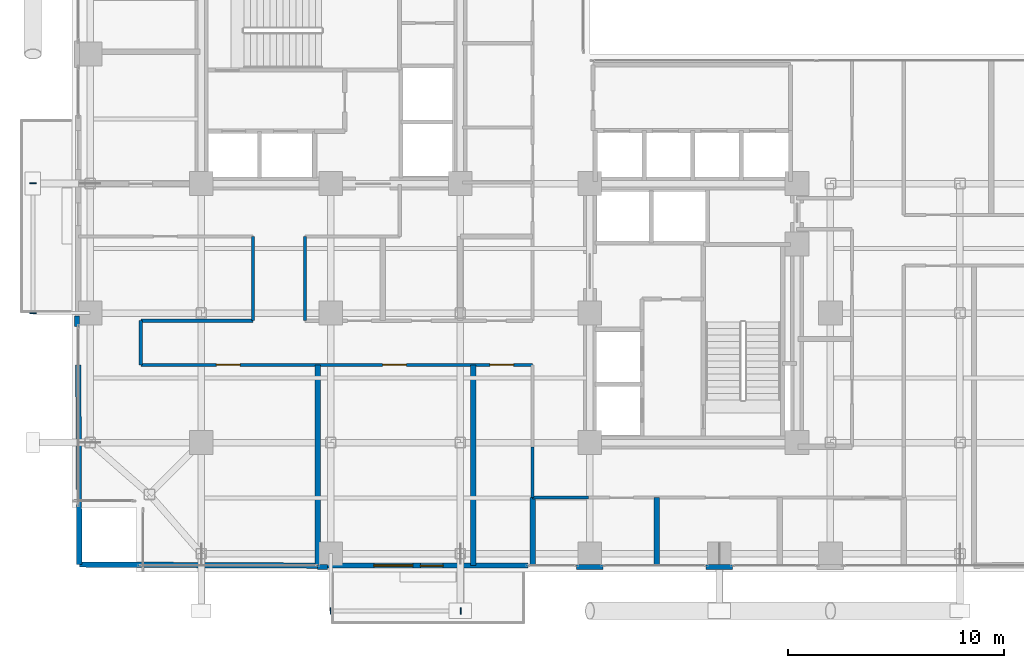
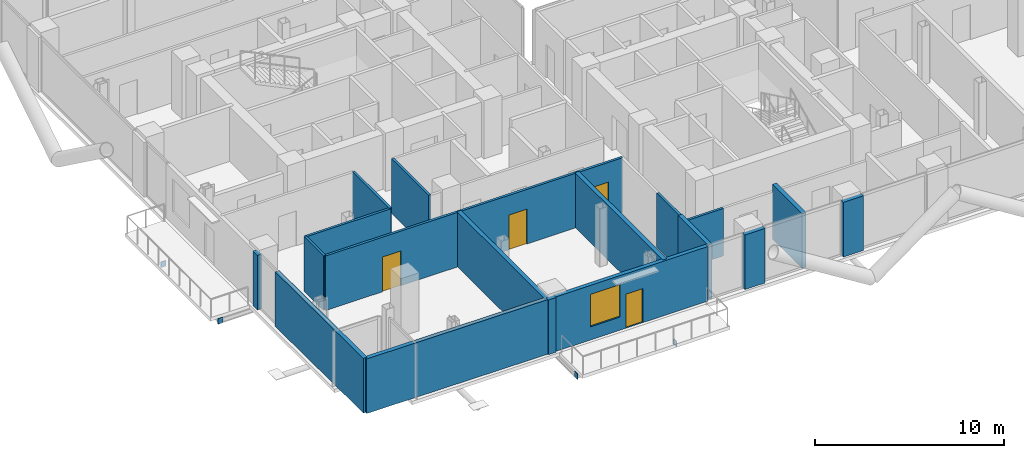
# One storey, part 18 of 24: 18 walls, 4 doors, 4 plates, 1 window, 5 openings.
"""IFC4 building model written with IfcOpenShell, lengths in metres."""

from ifc_helpers import new_model, si_unit, direction, frame, frame_2d, origin, origin_2d, place, context, subcontext, project, spatial, rectangle, extrude, material, layer, layer_set, type_object, element, fill, save


model = new_model("IFC4")

# Units and contexts
model_context = context("Model", 3, precision=1e-05, world=origin(), true_north=direction((0.0, 1.0)))
body_context = subcontext(model_context, "Body", "Model", "MODEL_VIEW")
ifc_project = project(units=[si_unit("LENGTHUNIT", "METRE"), si_unit("AREAUNIT", "SQUARE_METRE"), si_unit("VOLUMEUNIT", "CUBIC_METRE"), si_unit("PLANEANGLEUNIT", "RADIAN"), si_unit("MASSUNIT", "GRAM", prefix="KILO"), si_unit("THERMODYNAMICTEMPERATUREUNIT", "KELVIN"), si_unit("POWERUNIT", "WATT")], contexts=[model_context])

# Site, building, storey
site_placement = place(None, origin())
site = spatial("IfcSite", under=ifc_project, at=site_placement, CompositionType="ELEMENT")
building_placement = place(site_placement, origin())
building = spatial("IfcBuilding", under=site, at=building_placement, Name="Svarakhadi Broadcast Tower", CompositionType="ELEMENT")
storey_placement = place(building_placement, frame((0.0, 0.0, 126.89990234375)))
storey = spatial("IfcBuildingStorey", under=building, at=storey_placement, Name="L30", CompositionType="ELEMENT", Elevation=126.89990234375)

# Plates
ifc_material_1 = material(Name="Steel S460ML (IS 2062 E450BR)", Category="steel")
ifc_layer_1 = layer(ifc_material_1, 0.028076171875)
ifc_layer_set_1 = layer_set([ifc_layer_1], Name="Steel S460ML (IS 2062 E450BR)")
plate_type = type_object("IfcPlateType", Name="Cap_Plate_CP02", PredefinedType="USERDEFINED", material=ifc_layer_set_1)
for number, where, z_axis, x_axis, name in (
    (1, (11.985107421875, -1.800048828125, -0.55517578125), (0.0, 0.0, 1.0), (1.0, 0.0, 0.0), "L30 Balcony Spandrel End Cap Plate 1F-A"),
    (2, (18.014892578125, -1.800048828125, -0.55517578125), (0.0, 0.0, 1.0), (1.0, 0.0, 0.0), "L30 Balcony Spandrel End Cap Plate 1F-B"),
):
    element("IfcPlate", number, at=place(storey_placement, frame(where, z_axis=z_axis, x_axis=x_axis)), inside=storey, type_object=plate_type, Name=name, ObjectType="FLANGE_PLATE", PredefinedType="USERDEFINED", context=body_context, shape_type="SweptSolid", body=[
        extrude(rectangle(XDim=0.0400390625, YDim=0.300048828125, at=origin_2d()), origin(), (0.0, 0.0, 1.0), 0.360107421875),
    ])
for number, where, z_axis, x_axis, name in (
    (3, (-1.800048828125, 11.985107421875, -0.55517578125), (0.0, 0.0, 1.0), (1.0, 0.0, 0.0), "L30 Balcony Spandrel End Cap Plate 2F-A"),
    (4, (-1.800048828125, 18.014892578125, -0.55517578125), (0.0, 0.0, 1.0), (1.0, 0.0, 0.0), "L30 Balcony Spandrel End Cap Plate 2F-B"),
):
    element("IfcPlate", number, at=place(storey_placement, frame(where, z_axis=z_axis, x_axis=x_axis)), inside=storey, type_object=plate_type, Name=name, ObjectType="FLANGE_PLATE", PredefinedType="USERDEFINED", context=body_context, shape_type="SweptSolid", body=[
        extrude(rectangle(XDim=0.300048828125, YDim=0.0400390625, at=origin_2d()), origin(), (0.0, 0.0, 1.0), 0.360107421875),
    ])

# Walls
ifc_material_2 = material(Name="Double-Stud Acoustic Studio Partition STC-62", Category="gypsum")
ifc_layer_2 = layer(ifc_material_2, 0.25)
ifc_layer_set_2 = layer_set([ifc_layer_2], Name="Double-Stud Acoustic Studio Partition STC-62")
wall_type_1 = type_object("IfcWallType", Name="Wall_Acoust_250", PredefinedType="PARTITIONING", material=ifc_layer_set_2)
for number, where, z_axis, x_axis, name in (
    (5, (21.35009765625, 0.300048828125, 0.0), (0.0, 0.0, 1.0), (0.0, 1.0, 0.0), "L30 Harbour Front Production Office Wall"),
    (6, (27.10009765625, 0.300048828125, 0.0), (0.0, 0.0, 1.0), (0.0, 1.0, 0.0), "L30 Harbour Front Production Office Wall"),
):
    element("IfcWall", number, at=place(storey_placement, frame(where, z_axis=z_axis, x_axis=x_axis)), inside=storey, type_object=wall_type_1, Name=name, PredefinedType="PARTITIONING", context=body_context, shape_type="SweptSolid", body=[
        extrude(rectangle(XDim=3.14990234375, YDim=0.25, at=frame_2d((1.574951171875, 0.0))), origin(), (0.0, 0.0, 1.0), 3.525146484375),
    ])
wall_1_placement = place(storey_placement, frame((0.35009765625, 0.35009765625, 0.0), z_axis=(0.0, 0.0, 1.0), x_axis=(0.999989714785, -0.004535451924, 0.0)))
element("IfcWall", 7, at=wall_1_placement, inside=storey, type_object=wall_type_1, Name="L30 Dolby Cinema Screening Theatre Wall", PredefinedType="PARTITIONING", context=body_context, shape_type="SweptSolid", body=[
    extrude(rectangle(XDim=11.034912109375, YDim=0.25, at=frame_2d((5.517578125, 0.0))), origin(), (0.0, 0.0, 1.0), 3.525146484375),
])
wall_2_placement = place(storey_placement, frame((0.35009765625, 0.35009765625, 0.0), z_axis=(0.0, 0.0, 1.0), x_axis=(-0.005410604923, 0.99998536257, 0.0)))
element("IfcWall", 8, at=wall_2_placement, inside=storey, type_object=wall_type_1, Name="L30 Dolby Cinema Screening Theatre Wall", PredefinedType="PARTITIONING", context=body_context, shape_type="SweptSolid", body=[
    extrude(rectangle(XDim=9.250244140625, YDim=0.25, at=frame_2d((4.625, 0.0))), origin(), (0.0, 0.0, 1.0), 3.525146484375),
])
for number, where, z_axis, x_axis, name in (
    (9, (11.39990234375, 0.300048828125, 0.0), (0.0, 0.0, 1.0), (0.0, 1.0, 0.0), "L30 Dolby Cinema Screening Theatre Wall"),
    (10, (18.60009765625, 0.300048828125, 0.0), (0.0, 0.0, 1.0), (0.0, 1.0, 0.0), "L30 Post-Production Coordination Office Wall"),
):
    element("IfcWall", number, at=place(storey_placement, frame(where, z_axis=z_axis, x_axis=x_axis)), inside=storey, type_object=wall_type_1, Name=name, PredefinedType="PARTITIONING", context=body_context, shape_type="SweptSolid", body=[
        extrude(rectangle(XDim=9.300048828125, YDim=0.25, at=frame_2d((4.64990234375, 0.0))), origin(), (0.0, 0.0, 1.0), 3.525146484375),
    ])

# Wall, openings, door, window
ifc_material_3 = material(Name="Concrete C40/50 (IS 456 M50)", Category="concrete")
ifc_layer_3 = layer(ifc_material_3, 0.239990234375)
ifc_layer_set_3 = layer_set([ifc_layer_3], Name="Concrete C40/50 (IS 456 M50)")
wall_type_2 = type_object("IfcWallType", Name="Wall_Ext_240", PredefinedType="SOLIDWALL", material=ifc_layer_set_3)
wall_3_placement = place(storey_placement, frame((21.14501953125, 0.300048828125, 0.0), z_axis=(0.0, 0.0, 1.0), x_axis=(-1.0, 0.0, 0.0)))
wall_3 = element("IfcWall", 11, at=wall_3_placement, inside=storey, type_object=wall_type_2, Name="L30 South Tree Balcony Spandrel Wall", PredefinedType="SOLIDWALL", context=body_context, shape_type="SweptSolid", body=[
    extrude(rectangle(XDim=9.2900390625, YDim=0.239990234375, at=frame_2d((4.64501953125, 0.0))), origin(), (0.0, 0.0, 1.0), 3.525146484375),
])
opening_1_placement = place(wall_3_placement, frame((3.945068359375, 0.0, 0.0)))
opening_1 = element("IfcOpeningElement", 12, at=opening_1_placement, cuts=wall_3, Name="Opening ED-06", PredefinedType="OPENING", context=body_context, shape_type="SweptSolid", body=[
    extrude(rectangle(XDim=1.050048828125, YDim=2.199951171875, at=frame_2d((0.52490234375, 1.10009765625))), frame((0.0, 0.1298828125, 0.0), z_axis=(0.0, -1.0, 0.0), x_axis=(1.0, 0.0, 0.0)), (0.0, 0.0, 1.0), 0.260009765625),
])
opening_2_placement = place(wall_3_placement, frame((5.344970703125, 0.0, 0.85009765625)))
opening_2 = element("IfcOpeningElement", 13, at=opening_2_placement, cuts=wall_3, Name="Opening WN-02", PredefinedType="OPENING", context=body_context, shape_type="SweptSolid", body=[
    extrude(rectangle(XDim=1.800048828125, YDim=2.10009765625, at=frame_2d((0.89990234375, 1.050048828125))), frame((0.0, 0.1298828125, 0.0), z_axis=(0.0, -1.0, 0.0), x_axis=(1.0, 0.0, 0.0)), (0.0, 0.0, 1.0), 0.260009765625),
])
ifc_material_4 = material(Name="Anodised Bronze Aluminium AA 6063-T6", Category="aluminium")
door_type_1 = type_object("IfcDoorType", Name="Door_Ext_ED06", OperationType="SINGLE_SWING_RIGHT", PredefinedType="DOOR", material=ifc_material_4)
door_1_placement = place(opening_1_placement, origin())
door_1 = element("IfcDoor", 14, at=door_1_placement, inside=storey, type_object=door_type_1, Name="L30 South Tree Balcony Door", OperationType="SINGLE_SWING_RIGHT", OverallHeight=2.199951171875, OverallWidth=1.050048828125, PredefinedType="DOOR", context=body_context, shape_type="SweptSolid", body=[
    extrude(rectangle(XDim=1.050048828125, YDim=2.199951171875, at=frame_2d((0.52490234375, 1.10009765625))), frame((0.0, 0.02490234375, 0.0), z_axis=(0.0, -1.0, 0.0), x_axis=(1.0, 0.0, 0.0)), (0.0, 0.0, 1.0), 0.050048828125),
])
fill(opening_1, door_1)
ifc_material_5 = material(Name="Double Low-E Laminated Acoustic Glass IGU 36 mm", Category="glass")
window_type = type_object("IfcWindowType", Name="Win_Fixed_WN02", PartitioningType="SINGLE_PANEL", PredefinedType="WINDOW", material=ifc_material_5)
window_placement = place(opening_2_placement, origin())
window = element("IfcWindow", 15, at=window_placement, inside=storey, type_object=window_type, Name="L30 South Tree Balcony Window", OverallHeight=2.10009765625, OverallWidth=1.800048828125, PartitioningType="SINGLE_PANEL", PredefinedType="WINDOW", context=body_context, shape_type="SweptSolid", body=[
    extrude(rectangle(XDim=1.800048828125, YDim=2.10009765625, at=frame_2d((0.89990234375, 1.050048828125))), frame((0.0, 0.030029296875, 0.0), z_axis=(0.0, -1.0, 0.0), x_axis=(1.0, 0.0, 0.0)), (0.0, 0.0, 1.0), 0.06005859375),
])
fill(opening_2, window)

# Walls
wall_4_placement = place(storey_placement, frame((0.239990234375, 11.385009765625, 0.0), z_axis=(0.0, 0.0, 1.0), x_axis=(0.0, 1.0, 0.0)))
element("IfcWall", 16, at=wall_4_placement, inside=storey, type_object=wall_type_2, Name="L30 Perimeter Bronze Spandrel Closure Wall 01", PredefinedType="SOLIDWALL", context=body_context, shape_type="SweptSolid", body=[
    extrude(rectangle(XDim=0.469970703125, YDim=0.239990234375, at=frame_2d((0.23486328125, 0.0))), origin(), (0.0, 0.0, 1.0), 3.525146484375),
])
for number, where, z_axis, x_axis, name in (
    (17, (30.614990234375, 0.239990234375, 0.0), (0.0, 0.0, 1.0), (-1.0, 0.0, 0.0), "L30 Perimeter Bronze Spandrel Closure Wall 08"),
    (18, (24.614990234375, 0.239990234375, 0.0), (0.0, 0.0, 1.0), (-1.0, 0.0, 0.0), "L30 Perimeter Bronze Spandrel Closure Wall 09"),
):
    element("IfcWall", number, at=place(storey_placement, frame(where, z_axis=z_axis, x_axis=x_axis)), inside=storey, type_object=wall_type_2, Name=name, PredefinedType="SOLIDWALL", context=body_context, shape_type="SweptSolid", body=[
        extrude(rectangle(XDim=1.22998046875, YDim=0.239990234375, at=frame_2d((0.614990234375, 0.0))), origin(), (0.0, 0.0, 1.0), 3.525146484375),
    ])
wall_5_placement = place(storey_placement, frame((11.85498046875, 0.239990234375, 0.0), z_axis=(0.0, 0.0, 1.0), x_axis=(-1.0, 0.0, 0.0)))
element("IfcWall", 19, at=wall_5_placement, inside=storey, type_object=wall_type_2, Name="L30 Perimeter Bronze Spandrel Closure Wall 10", PredefinedType="SOLIDWALL", context=body_context, shape_type="SweptSolid", body=[
    extrude(rectangle(XDim=0.469970703125, YDim=0.239990234375, at=frame_2d((0.23486328125, 0.0))), origin(), (0.0, 0.0, 1.0), 3.525146484375),
])
ifc_material_6 = material(Name="Autoclaved Aerated Concrete Blockwork 150 mm", Category="masonry")
ifc_layer_4 = layer(ifc_material_6, 0.14990234375)
ifc_layer_set_4 = layer_set([ifc_layer_4], Name="Autoclaved Aerated Concrete Blockwork 150 mm")
wall_type_3 = type_object("IfcWallType", Name="Wall_Part_150", PredefinedType="PARTITIONING", material=ifc_layer_set_4)
wall_6_placement = place(storey_placement, frame((23.949951171875, 3.449951171875, 0.0), z_axis=(0.0, 0.0, 1.0), x_axis=(-1.0, 0.0, 0.0)))
element("IfcWall", 20, at=wall_6_placement, inside=storey, type_object=wall_type_3, Name="L30 Zone 2/3 Corridor Wall", PredefinedType="PARTITIONING", context=body_context, shape_type="SweptSolid", body=[
    extrude(rectangle(XDim=2.599853515625, YDim=0.14990234375, at=frame_2d((1.2998046875, 0.0))), origin(), (0.0, 0.0, 1.0), 3.067138671875),
])
wall_7_placement = place(storey_placement, frame((21.35009765625, 3.449951171875, 0.0), z_axis=(0.0, 0.0, 1.0), x_axis=(0.0, 1.0, 0.0)))
element("IfcWall", 21, at=wall_7_placement, inside=storey, type_object=wall_type_3, Name="L30 Zone 2/3 Corridor Wall", PredefinedType="PARTITIONING", context=body_context, shape_type="SweptSolid", body=[
    extrude(rectangle(XDim=2.35009765625, YDim=0.14990234375, at=frame_2d((1.175048828125, 0.0))), origin(), (0.0, 0.0, 1.0), 3.525146484375),
])

# Wall, openings, doors
wall_8_placement = place(storey_placement, frame((21.35009765625, 9.60009765625, 0.0), z_axis=(0.0, 0.0, 1.0), x_axis=(-1.0, 0.0, 0.0)))
wall_8 = element("IfcWall", 22, at=wall_8_placement, inside=storey, type_object=wall_type_3, Name="L30 Zone 2/3 Corridor Wall", PredefinedType="PARTITIONING", context=body_context, shape_type="SweptSolid", body=[
    extrude(rectangle(XDim=18.150146484375, YDim=0.14990234375, at=frame_2d((9.0751953125, 0.0))), origin(), (0.0, 0.0, 1.0), 3.525146484375),
])
opening_3_placement = place(wall_8_placement, frame((13.550048828125, 0.0, 0.0)))
opening_3 = element("IfcOpeningElement", 23, at=opening_3_placement, cuts=wall_8, Name="Opening D-11", PredefinedType="OPENING", context=body_context, shape_type="SweptSolid", body=[
    extrude(rectangle(XDim=1.10009765625, YDim=2.25, at=frame_2d((0.550048828125, 1.125))), frame((0.0, 0.0849609375, 0.0), z_axis=(0.0, -1.0, 0.0), x_axis=(1.0, 0.0, 0.0)), (0.0, 0.0, 1.0), 0.169921875),
])
opening_4_placement = place(wall_8_placement, frame((5.85009765625, 0.0, 0.0)))
opening_4 = element("IfcOpeningElement", 24, at=opening_4_placement, cuts=wall_8, Name="Opening D-10", PredefinedType="OPENING", context=body_context, shape_type="SweptSolid", body=[
    extrude(rectangle(XDim=1.10009765625, YDim=2.25, at=frame_2d((0.550048828125, 1.125))), frame((0.0, 0.0849609375, 0.0), z_axis=(0.0, -1.0, 0.0), x_axis=(1.0, 0.0, 0.0)), (0.0, 0.0, 1.0), 0.169921875),
])
opening_5_placement = place(wall_8_placement, frame((0.875, 0.0, 0.0)))
opening_5 = element("IfcOpeningElement", 25, at=opening_5_placement, cuts=wall_8, Name="Opening D-11", PredefinedType="OPENING", context=body_context, shape_type="SweptSolid", body=[
    extrude(rectangle(XDim=1.10009765625, YDim=2.25, at=frame_2d((0.550048828125, 1.125))), frame((0.0, 0.0849609375, 0.0), z_axis=(0.0, -1.0, 0.0), x_axis=(1.0, 0.0, 0.0)), (0.0, 0.0, 1.0), 0.169921875),
])
ifc_material_7 = material(Name="Solid-Core Teak Veneer Acoustic Timber Leaf", Category="wood")
door_type_2 = type_object("IfcDoorType", Name="Door_Acoust_D10", OperationType="SINGLE_SWING_LEFT", PredefinedType="DOOR", material=ifc_material_7)
door_2_placement = place(opening_4_placement, origin())
door_2 = element("IfcDoor", 26, at=door_2_placement, inside=storey, type_object=door_type_2, Name="L30 Post-Production Coordination Office Door", OperationType="SINGLE_SWING_LEFT", OverallHeight=2.25, OverallWidth=1.10009765625, PredefinedType="DOOR", context=body_context, shape_type="SweptSolid", body=[
    extrude(rectangle(XDim=1.10009765625, YDim=2.25, at=frame_2d((0.550048828125, 1.125))), frame((0.0, 0.02490234375, 0.0), z_axis=(0.0, -1.0, 0.0), x_axis=(1.0, 0.0, 0.0)), (0.0, 0.0, 1.0), 0.050048828125),
])
fill(opening_4, door_2)
door_type_3 = type_object("IfcDoorType", Name="Door_Acoust_D11", OperationType="SINGLE_SWING_RIGHT", PredefinedType="DOOR", material=ifc_material_7)
door_3_placement = place(opening_3_placement, origin())
door_3 = element("IfcDoor", 27, at=door_3_placement, inside=storey, type_object=door_type_3, Name="L30 Dolby Cinema Screening Theatre Door", OperationType="SINGLE_SWING_RIGHT", OverallHeight=2.25, OverallWidth=1.10009765625, PredefinedType="DOOR", context=body_context, shape_type="SweptSolid", body=[
    extrude(rectangle(XDim=1.10009765625, YDim=2.25, at=frame_2d((0.550048828125, 1.125))), frame((0.0, 0.02490234375, 0.0), z_axis=(0.0, -1.0, 0.0), x_axis=(1.0, 0.0, 0.0)), (0.0, 0.0, 1.0), 0.050048828125),
])
fill(opening_3, door_3)
door_4_placement = place(opening_5_placement, origin())
door_4 = element("IfcDoor", 28, at=door_4_placement, inside=storey, type_object=door_type_3, Name="L30 Hospitality Catering Kitchen Door", OperationType="SINGLE_SWING_RIGHT", OverallHeight=2.25, OverallWidth=1.10009765625, PredefinedType="DOOR", context=body_context, shape_type="SweptSolid", body=[
    extrude(rectangle(XDim=1.10009765625, YDim=2.25, at=frame_2d((0.550048828125, 1.125))), frame((0.0, 0.02490234375, 0.0), z_axis=(0.0, -1.0, 0.0), x_axis=(1.0, 0.0, 0.0)), (0.0, 0.0, 1.0), 0.050048828125),
])
fill(opening_5, door_4)

# Walls
wall_9_placement = place(storey_placement, frame((3.199951171875, 9.60009765625, 0.0), z_axis=(0.0, 0.0, 1.0), x_axis=(0.0, 1.0, 0.0)))
element("IfcWall", 29, at=wall_9_placement, inside=storey, type_object=wall_type_3, Name="L30 Zone 2/3 Corridor Wall", PredefinedType="PARTITIONING", context=body_context, shape_type="SweptSolid", body=[
    extrude(rectangle(XDim=2.0498046875, YDim=0.14990234375, at=frame_2d((1.02490234375, 0.0))), origin(), (0.0, 0.0, 1.0), 3.525146484375),
])
wall_10_placement = place(storey_placement, frame((3.199951171875, 11.64990234375, 0.0), z_axis=(0.0, 0.0, 1.0), x_axis=(1.0, 0.0, 0.0)))
element("IfcWall", 30, at=wall_10_placement, inside=storey, type_object=wall_type_3, Name="L30 Zone 2/3 Corridor Wall", PredefinedType="PARTITIONING", context=body_context, shape_type="SweptSolid", body=[
    extrude(rectangle(XDim=5.199951171875, YDim=0.14990234375, at=frame_2d((2.60009765625, 0.0))), origin(), (0.0, 0.0, 1.0), 3.525146484375),
])
for number, where, z_axis, x_axis, name in (
    (31, (8.39990234375, 11.64990234375, 0.0), (0.0, 0.0, 1.0), (0.0, 1.0, 0.0), "L30 Zone 2/3 Corridor Wall"),
    (32, (10.800048828125, 15.550048828125, 0.0), (0.0, 0.0, 1.0), (0.0, -1.0, 0.0), "L30 Zone 2/3 Corridor Wall"),
):
    element("IfcWall", number, at=place(storey_placement, frame(where, z_axis=z_axis, x_axis=x_axis)), inside=storey, type_object=wall_type_3, Name=name, PredefinedType="PARTITIONING", context=body_context, shape_type="SweptSolid", body=[
        extrude(rectangle(XDim=3.900146484375, YDim=0.14990234375, at=frame_2d((1.9501953125, 0.0))), origin(), (0.0, 0.0, 1.0), 3.525146484375),
    ])

save(model, "model.ifc")
